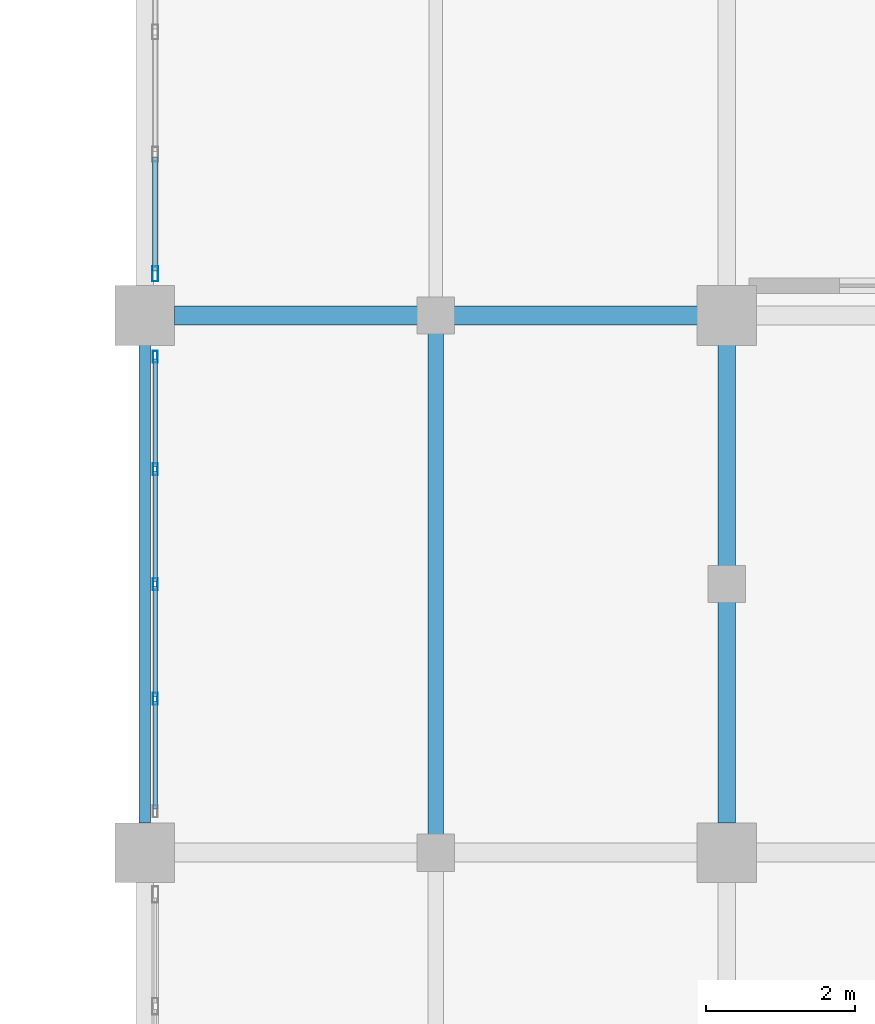
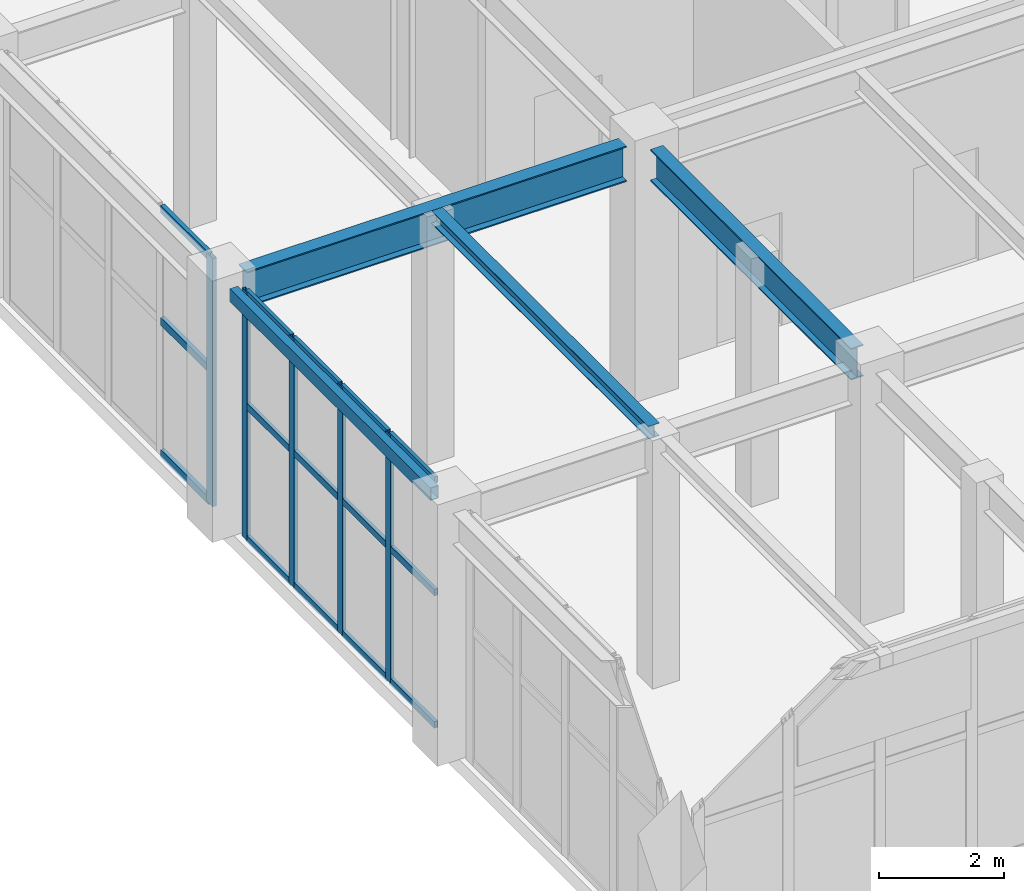
# One storey, part 77 of 128: 20 members, 4 beams, 2 elements without a shape of their own.
"""IFC4 building model written with IfcOpenShell, lengths in metres."""

from ifc_helpers import new_model, si_unit, direction, frame, origin, origin_2d, place, context, subcontext, project, spatial, hollow_rectangle, i_section, extrude, material, layer, layer_set, material_profile, profile_set, type_object, element, aggregate, save


model = new_model("IFC4")

# Units and contexts
model_context = context("Model", 3, precision=1e-05, world=origin(), true_north=direction((0.0, 1.0)))
body_context = subcontext(model_context, "Body", "Model", "MODEL_VIEW")
ifc_project = project(units=[si_unit("LENGTHUNIT", "METRE"), si_unit("AREAUNIT", "SQUARE_METRE"), si_unit("VOLUMEUNIT", "CUBIC_METRE"), si_unit("PLANEANGLEUNIT", "RADIAN"), si_unit("MASSUNIT", "GRAM", prefix="KILO")], contexts=[model_context])

# Site, building, storey
site_placement = place(None, origin())
site = spatial("IfcSite", under=ifc_project, at=site_placement, CompositionType="ELEMENT")
building_placement = place(site_placement, origin())
building = spatial("IfcBuilding", under=site, at=building_placement, Name="Xicomal Pleat Aquarium", CompositionType="ELEMENT")
storey_placement = place(building_placement, frame((0.0, 0.0, 5.39990234375)))
storey = spatial("IfcBuildingStorey", under=building, at=storey_placement, Name="L02", CompositionType="ELEMENT", Elevation=5.39990234375)

# Beams
ifc_material_1 = material(Name="Structural steel A992 Gr 50", Category="steel")
ifc_material_profile_1 = material_profile(ifc_material_1, i_section(OverallWidth=0.201904296875, OverallDepth=0.2470703125, WebThickness=0.00732421875, FlangeThickness=0.010986328125, at=origin_2d()), Name="IR 250x49")
ifc_profile_set_1 = profile_set([ifc_material_profile_1], Name="Structural steel A992 Gr 50")
beam_type_1 = type_object("IfcBeamType", Name="BM-STL-IR250", PredefinedType="JOIST", material=ifc_profile_set_1)
beam_1_placement = place(storey_placement, frame((137.699951171875, 8.131103515625, 4.716552734375), z_axis=(0.0, 1.0, 0.0), x_axis=(-1.0, 0.0, 0.0)))
element("IfcBeam", 1, at=beam_1_placement, inside=storey, type_object=beam_type_1, Name="L02 framing beam FBJ-L02-17-B-1", PredefinedType="JOIST", context=body_context, shape_type="SweptSolid", body=[
    extrude(i_section(OverallWidth=0.201904296875, OverallDepth=0.2470703125, WebThickness=0.00732421875, FlangeThickness=0.010986328125, at=origin_2d()), origin(), (0.0, 0.0, 1.0), 6.93798828125),
])
ifc_material_2 = material(Name="Structural steel A992 Gr 50", Category="steel")
ifc_material_profile_2 = material_profile(ifc_material_2, i_section(OverallWidth=0.22998046875, OverallDepth=0.616943359375, WebThickness=0.01318359375, FlangeThickness=0.022216796875, at=origin_2d()), Name="IR 610x140")
ifc_profile_set_2 = profile_set([ifc_material_profile_2], Name="Structural steel A992 Gr 50")
beam_type_2 = type_object("IfcBeamType", Name="BM-STL-IR610", PredefinedType="BEAM", material=ifc_profile_set_2)
beam_2_placement = place(storey_placement, frame((141.60009765625, 8.39501953125, 4.531494140625), z_axis=(0.0, 1.0, 0.0), x_axis=(-1.0, 0.0, 0.0)))
element("IfcBeam", 2, at=beam_2_placement, inside=storey, type_object=beam_type_2, Name="L02 framing beam FGY-L02-18-B-C", PredefinedType="BEAM", context=body_context, shape_type="SweptSolid", body=[
    extrude(i_section(OverallWidth=0.22998046875, OverallDepth=0.616943359375, WebThickness=0.01318359375, FlangeThickness=0.022216796875, at=origin_2d()), origin(), (0.0, 0.0, 1.0), 6.409912109375),
])
ifc_material_3 = material(Name="Structural steel A992 Gr 50", Category="steel")
ifc_material_profile_3 = material_profile(ifc_material_3, i_section(OverallWidth=0.256103515625, OverallDepth=0.693115234375, WebThickness=0.014404296875, FlangeThickness=0.023681640625, at=origin_2d()), Name="IR 690x170")
ifc_profile_set_3 = profile_set([ifc_material_profile_3], Name="Structural steel A992 Gr 50")
beam_type_3 = type_object("IfcBeamType", Name="BM-STL-IR690", PredefinedType="BEAM", material=ifc_profile_set_3)
beam_3_placement = place(storey_placement, frame((134.195068359375, 15.199951171875, 4.49365234375), z_axis=(1.0, 0.0, 0.0), x_axis=(0.0, 1.0, 0.0)))
element("IfcBeam", 3, at=beam_3_placement, inside=storey, type_object=beam_type_3, Name="L02 framing beam FGX-L02-17-18-C", PredefinedType="BEAM", context=body_context, shape_type="SweptSolid", body=[
    extrude(i_section(OverallWidth=0.256103515625, OverallDepth=0.693115234375, WebThickness=0.014404296875, FlangeThickness=0.023681640625, at=origin_2d()), origin(), (0.0, 0.0, 1.0), 7.010009765625),
])
ifc_material_4 = material(Name="Structural steel A500 Gr C", Category="steel")
ifc_material_profile_4 = material_profile(ifc_material_4, hollow_rectangle(XDim=0.14990234375, YDim=0.25, WallThickness=0.010009765625, at=origin_2d()), Name="OR 250x150x10")
ifc_profile_set_4 = profile_set([ifc_material_profile_4], Name="Structural steel A500 Gr C")
beam_type_4 = type_object("IfcBeamType", Name="BM-STL-OR250", PredefinedType="SPANDREL", material=ifc_profile_set_4)
beam_4_placement = place(storey_placement, frame((133.800048828125, 8.39501953125, 4.715087890625), z_axis=(0.0, 1.0, 0.0), x_axis=(-1.0, 0.0, 0.0)))
element("IfcBeam", 4, at=beam_4_placement, inside=storey, type_object=beam_type_4, Name="L02 framing beam FGY-L02-17-B-C", PredefinedType="SPANDREL", context=body_context, shape_type="SweptSolid", body=[
    extrude(hollow_rectangle(XDim=0.14990234375, YDim=0.25, WallThickness=0.010009765625, at=origin_2d()), origin(), (0.0, 0.0, 1.0), 6.409912109375),
])

# Curtain wall, members
ifc_material_5 = material(Name="Bronze anodized aluminium 6063-T6", Category="aluminium")
ifc_layer_1 = layer(ifc_material_5, 0.159912109375)
ifc_layer_set_1 = layer_set([ifc_layer_1], Name="Bronze anodized aluminium 6063-T6")
curtain_wall_type_1 = type_object("IfcCurtainWallType", Name="CW-SYS-02", PredefinedType="NOTDEFINED", material=ifc_layer_set_1)
curtain_wall_1_placement = place(storey_placement, origin())
curtain_wall_1 = element("IfcCurtainWall", 5, at=curtain_wall_1_placement, inside=storey, type_object=curtain_wall_type_1, Name="L02 unitised curtain wall CW-L02-078", PredefinedType="NOTDEFINED")
ifc_material_6 = material(Name="Bronze anodized aluminium 6063-T6", Category="aluminium")
ifc_material_profile_5 = material_profile(ifc_material_6, hollow_rectangle(XDim=0.06494140625, YDim=0.159912109375, WallThickness=0.00390625, at=origin_2d()), Name="ALU MULL 65x160")
ifc_profile_set_5 = profile_set([ifc_material_profile_5], Name="Bronze anodized aluminium 6063-T6")
member_type_1 = type_object("IfcMemberType", Name="CWM-65x160", PredefinedType="MULLION", material=ifc_profile_set_5)
member_1_placement = place(storey_placement, frame((133.93994140625, 10.06005859375, 0.0), z_axis=(0.0, 0.0, 1.0), x_axis=(-1.0, 0.0, 0.0)))
member_1 = element("IfcMember", 6, at=member_1_placement, type_object=member_type_1, Name="CW-02 mullion 2", PredefinedType="MULLION", context=body_context, shape_type="SweptSolid", body=[
    extrude(hollow_rectangle(XDim=0.06494140625, YDim=0.159912109375, WallThickness=0.00390625, at=origin_2d()), origin(), (0.0, 0.0, 1.0), 4.840087890625),
])
member_2_placement = place(storey_placement, frame((133.93994140625, 11.60009765625, 0.0), z_axis=(0.0, 0.0, 1.0), x_axis=(-1.0, 0.0, 0.0)))
member_2 = element("IfcMember", 7, at=member_2_placement, type_object=member_type_1, Name="CW-02 mullion 3", PredefinedType="MULLION", context=body_context, shape_type="SweptSolid", body=[
    extrude(hollow_rectangle(XDim=0.06494140625, YDim=0.159912109375, WallThickness=0.00390625, at=origin_2d()), origin(), (0.0, 0.0, 1.0), 4.840087890625),
])
member_3_placement = place(storey_placement, frame((133.93994140625, 13.139892578125, 0.0), z_axis=(0.0, 0.0, 1.0), x_axis=(-1.0, 0.0, 0.0)))
member_3 = element("IfcMember", 8, at=member_3_placement, type_object=member_type_1, Name="CW-02 mullion 4", PredefinedType="MULLION", context=body_context, shape_type="SweptSolid", body=[
    extrude(hollow_rectangle(XDim=0.06494140625, YDim=0.159912109375, WallThickness=0.00390625, at=origin_2d()), origin(), (0.0, 0.0, 1.0), 4.840087890625),
])
member_4_placement = place(storey_placement, frame((133.93994140625, 14.6474609375, 0.0), z_axis=(0.0, 0.0, 1.0), x_axis=(-1.0, 0.0, 0.0)))
member_4 = element("IfcMember", 9, at=member_4_placement, type_object=member_type_1, Name="CW-02 mullion 5", PredefinedType="MULLION", context=body_context, shape_type="SweptSolid", body=[
    extrude(hollow_rectangle(XDim=0.06494140625, YDim=0.159912109375, WallThickness=0.00390625, at=origin_2d()), origin(), (0.0, 0.0, 1.0), 4.840087890625),
])

# Curtain wall, member
ifc_material_7 = material(Name="Bronze anodized aluminium 6063-T6", Category="aluminium")
ifc_layer_2 = layer(ifc_material_7, 0.159912109375)
ifc_layer_set_2 = layer_set([ifc_layer_2], Name="Bronze anodized aluminium 6063-T6")
curtain_wall_type_2 = type_object("IfcCurtainWallType", Name="CW-SYS-07", PredefinedType="NOTDEFINED", material=ifc_layer_set_2)
curtain_wall_2_placement = place(storey_placement, origin())
curtain_wall_2 = element("IfcCurtainWall", 10, at=curtain_wall_2_placement, inside=storey, type_object=curtain_wall_type_2, Name="L02 unitised curtain wall CW-L02-079", PredefinedType="NOTDEFINED")
ifc_material_8 = material(Name="Bronze anodized aluminium 6063-T6", Category="aluminium")
ifc_material_profile_6 = material_profile(ifc_material_8, hollow_rectangle(XDim=0.074951171875, YDim=0.199951171875, WallThickness=0.00439453125, at=origin_2d()), Name="ALU MULL 75x200")
ifc_profile_set_6 = profile_set([ifc_material_profile_6], Name="Bronze anodized aluminium 6063-T6")
member_type_2 = type_object("IfcMemberType", Name="CWM-75x200", PredefinedType="MULLION", material=ifc_profile_set_6)
member_5_placement = place(storey_placement, frame((133.93994140625, 15.757568359375, 0.0), z_axis=(0.0, 0.0, 1.0), x_axis=(-1.0, 0.0, 0.0)))
member_5 = element("IfcMember", 11, at=member_5_placement, type_object=member_type_2, Name="CW-07 mullion 1", PredefinedType="MULLION", context=body_context, shape_type="SweptSolid", body=[
    extrude(hollow_rectangle(XDim=0.074951171875, YDim=0.199951171875, WallThickness=0.00439453125, at=origin_2d()), origin(), (0.0, 0.0, 1.0), 4.840087890625),
])

# Member
ifc_material_9 = material(Name="Bronze anodized aluminium 6063-T6", Category="aluminium")
ifc_material_profile_7 = material_profile(ifc_material_9, hollow_rectangle(XDim=0.06494140625, YDim=0.1298828125, WallThickness=0.00390625, at=origin_2d()), Name="ALU TRAN 65x130")
ifc_profile_set_7 = profile_set([ifc_material_profile_7], Name="Bronze anodized aluminium 6063-T6")
member_type_3 = type_object("IfcMemberType", Name="CWT-65x130", PredefinedType="USERDEFINED", material=ifc_profile_set_7)
member_6_placement = place(storey_placement, frame((133.93994140625, 8.5849609375, 0.03271484375), z_axis=(0.0, 1.0, 0.0), x_axis=(-1.0, 0.0, 0.0)))
member_6 = element("IfcMember", 12, at=member_6_placement, type_object=member_type_3, Name="CW-02 transom 1.1", ObjectType="TRANSOM", PredefinedType="USERDEFINED", context=body_context, shape_type="SweptSolid", body=[
    extrude(hollow_rectangle(XDim=0.06494140625, YDim=0.1298828125, WallThickness=0.00390625, at=origin_2d()), origin(), (0.0, 0.0, 1.0), 1.442626953125),
])

member_7_placement = place(storey_placement, frame((133.93994140625, 8.5849609375, 2.614013671875), z_axis=(0.0, 1.0, 0.0), x_axis=(-1.0, 0.0, 0.0)))
member_7 = element("IfcMember", 13, at=member_7_placement, type_object=member_type_3, Name="CW-02 transom 1.2", ObjectType="TRANSOM", PredefinedType="USERDEFINED", context=body_context, shape_type="SweptSolid", body=[
    extrude(hollow_rectangle(XDim=0.06494140625, YDim=0.1298828125, WallThickness=0.00390625, at=origin_2d()), origin(), (0.0, 0.0, 1.0), 1.442626953125),
])

member_8_placement = place(storey_placement, frame((133.93994140625, 8.5849609375, 4.8076171875), z_axis=(0.0, 1.0, 0.0), x_axis=(-1.0, 0.0, 0.0)))
member_8 = element("IfcMember", 14, at=member_8_placement, type_object=member_type_3, Name="CW-02 transom 1.3", ObjectType="TRANSOM", PredefinedType="USERDEFINED", context=body_context, shape_type="SweptSolid", body=[
    extrude(hollow_rectangle(XDim=0.06494140625, YDim=0.1298828125, WallThickness=0.00390625, at=origin_2d()), origin(), (0.0, 0.0, 1.0), 1.442626953125),
])

member_9_placement = place(storey_placement, frame((133.93994140625, 10.092529296875, 0.03271484375), z_axis=(0.0, 1.0, 0.0), x_axis=(-1.0, 0.0, 0.0)))
member_9 = element("IfcMember", 15, at=member_9_placement, type_object=member_type_3, Name="CW-02 transom 2.1", ObjectType="TRANSOM", PredefinedType="USERDEFINED", context=body_context, shape_type="SweptSolid", body=[
    extrude(hollow_rectangle(XDim=0.06494140625, YDim=0.1298828125, WallThickness=0.00390625, at=origin_2d()), origin(), (0.0, 0.0, 1.0), 1.474853515625),
])

member_10_placement = place(storey_placement, frame((133.93994140625, 10.092529296875, 2.614013671875), z_axis=(0.0, 1.0, 0.0), x_axis=(-1.0, 0.0, 0.0)))
member_10 = element("IfcMember", 16, at=member_10_placement, type_object=member_type_3, Name="CW-02 transom 2.2", ObjectType="TRANSOM", PredefinedType="USERDEFINED", context=body_context, shape_type="SweptSolid", body=[
    extrude(hollow_rectangle(XDim=0.06494140625, YDim=0.1298828125, WallThickness=0.00390625, at=origin_2d()), origin(), (0.0, 0.0, 1.0), 1.474853515625),
])

member_11_placement = place(storey_placement, frame((133.93994140625, 10.092529296875, 4.8076171875), z_axis=(0.0, 1.0, 0.0), x_axis=(-1.0, 0.0, 0.0)))
member_11 = element("IfcMember", 17, at=member_11_placement, type_object=member_type_3, Name="CW-02 transom 2.3", ObjectType="TRANSOM", PredefinedType="USERDEFINED", context=body_context, shape_type="SweptSolid", body=[
    extrude(hollow_rectangle(XDim=0.06494140625, YDim=0.1298828125, WallThickness=0.00390625, at=origin_2d()), origin(), (0.0, 0.0, 1.0), 1.474853515625),
])

member_12_placement = place(storey_placement, frame((133.93994140625, 11.632568359375, 0.03271484375), z_axis=(0.0, 1.0, 0.0), x_axis=(-1.0, 0.0, 0.0)))
member_12 = element("IfcMember", 18, at=member_12_placement, type_object=member_type_3, Name="CW-02 transom 3.1", ObjectType="TRANSOM", PredefinedType="USERDEFINED", context=body_context, shape_type="SweptSolid", body=[
    extrude(hollow_rectangle(XDim=0.06494140625, YDim=0.1298828125, WallThickness=0.00390625, at=origin_2d()), origin(), (0.0, 0.0, 1.0), 1.474853515625),
])

member_13_placement = place(storey_placement, frame((133.93994140625, 11.632568359375, 2.614013671875), z_axis=(0.0, 1.0, 0.0), x_axis=(-1.0, 0.0, 0.0)))
member_13 = element("IfcMember", 19, at=member_13_placement, type_object=member_type_3, Name="CW-02 transom 3.2", ObjectType="TRANSOM", PredefinedType="USERDEFINED", context=body_context, shape_type="SweptSolid", body=[
    extrude(hollow_rectangle(XDim=0.06494140625, YDim=0.1298828125, WallThickness=0.00390625, at=origin_2d()), origin(), (0.0, 0.0, 1.0), 1.474853515625),
])

member_14_placement = place(storey_placement, frame((133.93994140625, 11.632568359375, 4.8076171875), z_axis=(0.0, 1.0, 0.0), x_axis=(-1.0, 0.0, 0.0)))
member_14 = element("IfcMember", 20, at=member_14_placement, type_object=member_type_3, Name="CW-02 transom 3.3", ObjectType="TRANSOM", PredefinedType="USERDEFINED", context=body_context, shape_type="SweptSolid", body=[
    extrude(hollow_rectangle(XDim=0.06494140625, YDim=0.1298828125, WallThickness=0.00390625, at=origin_2d()), origin(), (0.0, 0.0, 1.0), 1.474853515625),
])

member_15_placement = place(storey_placement, frame((133.93994140625, 13.172607421875, 0.03271484375), z_axis=(0.0, 1.0, 0.0), x_axis=(-1.0, 0.0, 0.0)))
member_15 = element("IfcMember", 21, at=member_15_placement, type_object=member_type_3, Name="CW-02 transom 4.1", ObjectType="TRANSOM", PredefinedType="USERDEFINED", context=body_context, shape_type="SweptSolid", body=[
    extrude(hollow_rectangle(XDim=0.06494140625, YDim=0.1298828125, WallThickness=0.00390625, at=origin_2d()), origin(), (0.0, 0.0, 1.0), 1.4423828125),
])

member_16_placement = place(storey_placement, frame((133.93994140625, 13.172607421875, 2.614013671875), z_axis=(0.0, 1.0, 0.0), x_axis=(-1.0, 0.0, 0.0)))
member_16 = element("IfcMember", 22, at=member_16_placement, type_object=member_type_3, Name="CW-02 transom 4.2", ObjectType="TRANSOM", PredefinedType="USERDEFINED", context=body_context, shape_type="SweptSolid", body=[
    extrude(hollow_rectangle(XDim=0.06494140625, YDim=0.1298828125, WallThickness=0.00390625, at=origin_2d()), origin(), (0.0, 0.0, 1.0), 1.4423828125),
])

member_17_placement = place(storey_placement, frame((133.93994140625, 13.172607421875, 4.8076171875), z_axis=(0.0, 1.0, 0.0), x_axis=(-1.0, 0.0, 0.0)))
member_17 = element("IfcMember", 23, at=member_17_placement, type_object=member_type_3, Name="CW-02 transom 4.3", ObjectType="TRANSOM", PredefinedType="USERDEFINED", context=body_context, shape_type="SweptSolid", body=[
    extrude(hollow_rectangle(XDim=0.06494140625, YDim=0.1298828125, WallThickness=0.00390625, at=origin_2d()), origin(), (0.0, 0.0, 1.0), 1.4423828125),
])

aggregate(curtain_wall_1, [member_1, member_2, member_3, member_4, member_6, member_7, member_8, member_9, member_10, member_11, member_12, member_13, member_14, member_15, member_16, member_17])

ifc_material_10 = material(Name="Bronze anodized aluminium 6063-T6", Category="aluminium")
ifc_material_profile_8 = material_profile(ifc_material_10, hollow_rectangle(XDim=0.074951171875, YDim=0.14990234375, WallThickness=0.00439453125, at=origin_2d()), Name="ALU TRAN 75x150")
ifc_profile_set_8 = profile_set([ifc_material_profile_8], Name="Bronze anodized aluminium 6063-T6")
member_type_4 = type_object("IfcMemberType", Name="CWT-75x150", PredefinedType="USERDEFINED", material=ifc_profile_set_8)
member_18_placement = place(storey_placement, frame((133.93994140625, 15.794921875, 0.03759765625), z_axis=(0.0, 1.0, 0.0), x_axis=(-1.0, 0.0, 0.0)))
member_18 = element("IfcMember", 24, at=member_18_placement, type_object=member_type_4, Name="CW-07 transom 1.1", ObjectType="TRANSOM", PredefinedType="USERDEFINED", context=body_context, shape_type="SweptSolid", body=[
    extrude(hollow_rectangle(XDim=0.074951171875, YDim=0.14990234375, WallThickness=0.00439453125, at=origin_2d()), origin(), (0.0, 0.0, 1.0), 1.527587890625),
])

member_19_placement = place(storey_placement, frame((133.93994140625, 15.794921875, 2.614013671875), z_axis=(0.0, 1.0, 0.0), x_axis=(-1.0, 0.0, 0.0)))
member_19 = element("IfcMember", 25, at=member_19_placement, type_object=member_type_4, Name="CW-07 transom 1.2", ObjectType="TRANSOM", PredefinedType="USERDEFINED", context=body_context, shape_type="SweptSolid", body=[
    extrude(hollow_rectangle(XDim=0.074951171875, YDim=0.14990234375, WallThickness=0.00439453125, at=origin_2d()), origin(), (0.0, 0.0, 1.0), 1.527587890625),
])

member_20_placement = place(storey_placement, frame((133.93994140625, 15.794921875, 4.802490234375), z_axis=(0.0, 1.0, 0.0), x_axis=(-1.0, 0.0, 0.0)))
member_20 = element("IfcMember", 26, at=member_20_placement, type_object=member_type_4, Name="CW-07 transom 1.3", ObjectType="TRANSOM", PredefinedType="USERDEFINED", context=body_context, shape_type="SweptSolid", body=[
    extrude(hollow_rectangle(XDim=0.074951171875, YDim=0.14990234375, WallThickness=0.00439453125, at=origin_2d()), origin(), (0.0, 0.0, 1.0), 1.527587890625),
])

aggregate(curtain_wall_2, [member_5, member_18, member_19, member_20])

save(model, "model.ifc")
